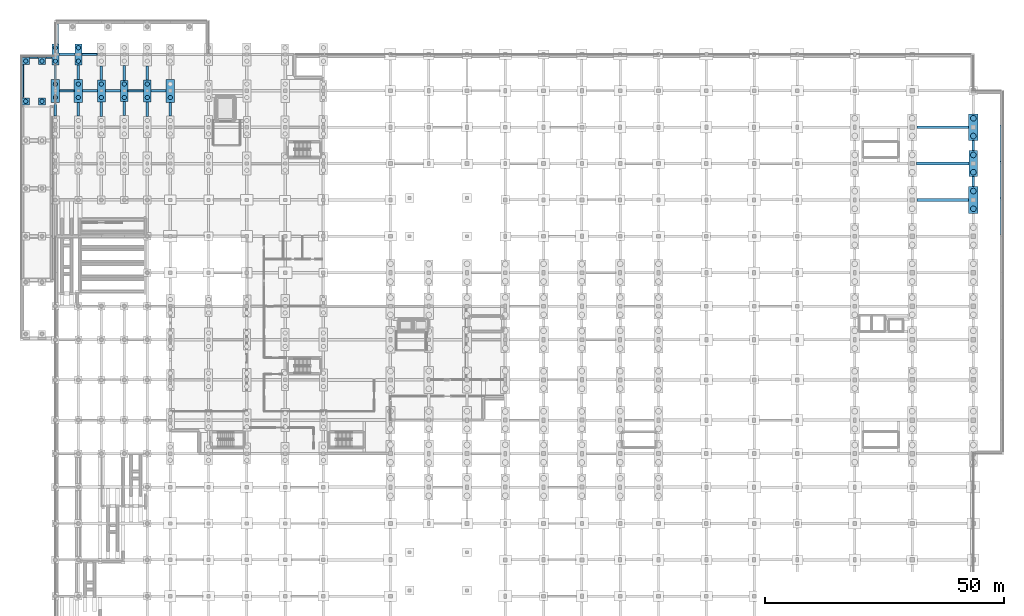
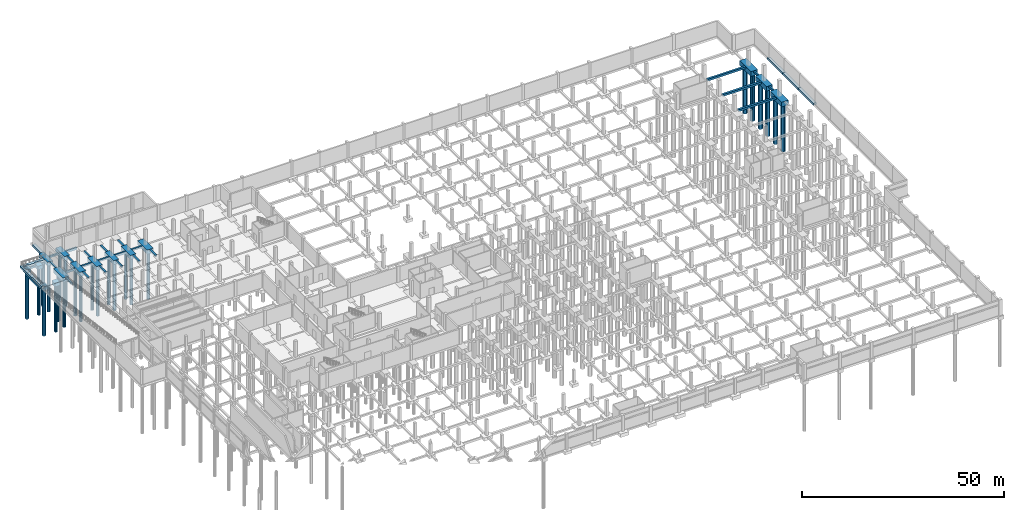
# One storey, part 24 of 50: 47 footings, 25 piles.
"""IFC4 building model written with IfcOpenShell, lengths in metres."""

from ifc_helpers import new_model, si_unit, direction, frame, origin, origin_2d, place, context, subcontext, project, spatial, polyline, rectangle, circle, outline, extrude, material, material_profile, profile_set, type_object, element, save


model = new_model("IFC4")

# Units and contexts
model_context = context("Model", 3, precision=1e-05, world=origin(), true_north=direction((0.0, 1.0)))
body_context = subcontext(model_context, "Body", "Model", "MODEL_VIEW")
ifc_project = project(units=[si_unit("LENGTHUNIT", "METRE"), si_unit("AREAUNIT", "SQUARE_METRE"), si_unit("VOLUMEUNIT", "CUBIC_METRE"), si_unit("PLANEANGLEUNIT", "RADIAN"), si_unit("MASSUNIT", "GRAM", prefix="KILO")], contexts=[model_context])

# Site, building, storey
site_placement = place(None, origin())
site = spatial("IfcSite", under=ifc_project, at=site_placement, CompositionType="ELEMENT")
building_placement = place(site_placement, origin())
building = spatial("IfcBuilding", under=site, at=building_placement, Name="Vekula Escarpment Museum", CompositionType="ELEMENT")
storey_placement = place(building_placement, frame((0.0, 0.0, -4.800048828125)))
storey = spatial("IfcBuildingStorey", under=building, at=storey_placement, Name="B1", CompositionType="ELEMENT", Elevation=-4.800048828125)

# Footings
ifc_material_1 = material(Name="Concrete C35/45", Category="concrete")
footing_type_1 = type_object("IfcFootingType", Name="FB-STRIP-600", PredefinedType="STRIP_FOOTING", material=ifc_material_1)
footing_1_placement = place(storey_placement, frame((0.0, 0.0, -1.5)))
element("IfcFooting", 1, at=footing_1_placement, inside=storey, type_object=footing_type_1, Name="Vehicle Ramp Strip Footing RMP-DRV-W-1", PredefinedType="STRIP_FOOTING", context=body_context, shape_type="SweptSolid", body=[
    extrude(outline(polyline([(-7.27490234375, 126.989990234375), (-6.675048828125, 126.989990234375), (-6.675048828125, 133.81005859375), (-7.27490234375, 133.81005859375), (-7.27490234375, 126.989990234375)])), origin(), (0.0, 0.0, 1.0), 0.60009765625),
])
footing_2_placement = place(storey_placement, frame((0.0, 0.0, -1.5)))
element("IfcFooting", 2, at=footing_2_placement, inside=storey, type_object=footing_type_1, Name="Vehicle Ramp Strip Footing RMP-DRV-N-1", PredefinedType="STRIP_FOOTING", context=body_context, shape_type="SweptSolid", body=[
    extrude(outline(polyline([(-5.409912109375, 135.27490234375), (-3.590087890625, 135.27490234375), (-3.590087890625, 135.875), (-5.409912109375, 135.875), (-5.409912109375, 135.27490234375)])), origin(), (0.0, 0.0, 1.0), 0.60009765625),
])
footing_3_placement = place(storey_placement, frame((0.0, 0.0, -1.5)))
element("IfcFooting", 3, at=footing_3_placement, inside=storey, type_object=footing_type_1, Name="Vehicle Ramp Strip Footing RMP-DRV-N-2", PredefinedType="STRIP_FOOTING", context=body_context, shape_type="SweptSolid", body=[
    extrude(outline(polyline([(-2.010009765625, 135.27490234375), (-0.7900390625, 135.27490234375), (-0.7900390625, 135.875), (-2.010009765625, 135.875), (-2.010009765625, 135.27490234375)])), origin(), (0.0, 0.0, 1.0), 0.60009765625),
])
footing_4_placement = place(storey_placement, frame((0.0, 0.0, -0.599853515625)))
element("IfcFooting", 4, at=footing_4_placement, inside=storey, type_object=footing_type_1, Name="Plinth Wall Strip Footing 0098", PredefinedType="STRIP_FOOTING", context=body_context, shape_type="SweptSolid", body=[
    extrude(outline(polyline([(197.35498046875, 106.02001953125), (198.195068359375, 106.02001953125), (198.195068359375, 98.424072265625), (197.35498046875, 98.424072265625), (197.35498046875, 106.02001953125)])), origin(), (0.0, 0.0, 1.0), 0.599853515625),
])
footing_5_placement = place(storey_placement, frame((0.0, 0.0, -0.599853515625)))
element("IfcFooting", 5, at=footing_5_placement, inside=storey, type_object=footing_type_1, Name="Plinth Wall Strip Footing 0099", PredefinedType="STRIP_FOOTING", context=body_context, shape_type="SweptSolid", body=[
    extrude(outline(polyline([(197.35498046875, 113.6201171875), (198.195068359375, 113.6201171875), (198.195068359375, 106.02392578125), (197.35498046875, 106.02392578125), (197.35498046875, 113.6201171875)])), origin(), (0.0, 0.0, 1.0), 0.599853515625),
])
footing_6_placement = place(storey_placement, frame((0.0, 0.0, -0.599853515625)))
element("IfcFooting", 6, at=footing_6_placement, inside=storey, type_object=footing_type_1, Name="Plinth Wall Strip Footing 0100", PredefinedType="STRIP_FOOTING", context=body_context, shape_type="SweptSolid", body=[
    extrude(outline(polyline([(197.35498046875, 121.219970703125), (198.195068359375, 121.219970703125), (198.195068359375, 113.6240234375), (197.35498046875, 113.6240234375), (197.35498046875, 121.219970703125)])), origin(), (0.0, 0.0, 1.0), 0.599853515625),
])
footing_7_placement = place(storey_placement, frame((0.0, 0.0, -0.599853515625)))
element("IfcFooting", 7, at=footing_7_placement, inside=storey, type_object=footing_type_1, Name="Plinth Wall Strip Footing 0126", PredefinedType="STRIP_FOOTING", context=body_context, shape_type="SweptSolid", body=[
    extrude(outline(polyline([(0.64501953125, 138.2041015625), (-0.195068359375, 138.2041015625), (-0.195068359375, 142.35107421875), (0.64501953125, 142.35107421875), (0.64501953125, 138.2041015625)])), origin(), (0.0, 0.0, 1.0), 0.599853515625),
])
footing_8_placement = place(storey_placement, frame((0.0, 0.0, -0.599853515625)))
element("IfcFooting", 8, at=footing_8_placement, inside=storey, type_object=footing_type_1, Name="Plinth Wall Strip Footing 0211", PredefinedType="STRIP_FOOTING", context=body_context, shape_type="SweptSolid", body=[
    extrude(outline(polyline([(-6.554931640625, 125.444091796875), (-7.39501953125, 125.444091796875), (-7.39501953125, 135.9951171875), (-6.554931640625, 135.9951171875), (-6.554931640625, 135.35400390625), (-6.9541015625, 135.35400390625), (-6.9541015625, 133.845947265625), (-6.554931640625, 133.845947265625), (-6.554931640625, 126.9541015625), (-6.9541015625, 126.9541015625), (-6.9541015625, 125.446044921875), (-6.554931640625, 125.444091796875)])), origin(), (0.0, 0.0, 1.0), 0.599853515625),
])
footing_9_placement = place(storey_placement, frame((0.0, 0.0, -0.599853515625)))
element("IfcFooting", 9, at=footing_9_placement, inside=storey, type_object=footing_type_1, Name="Plinth Wall Strip Footing 0212", PredefinedType="STRIP_FOOTING", context=body_context, shape_type="SweptSolid", body=[
    extrude(outline(polyline([(-5.446044921875, 135.155029296875), (-5.446044921875, 135.35400390625), (-6.551025390625, 135.35400390625), (-6.551025390625, 135.9951171875), (-0.75390625, 135.9951171875), (-0.75390625, 135.155029296875), (-2.0458984375, 135.155029296875), (-2.0458984375, 135.35400390625), (-3.553955078125, 135.35400390625), (-3.553955078125, 135.155029296875), (-5.446044921875, 135.155029296875)])), origin(), (0.0, 0.0, 1.0), 0.599853515625),
])
ifc_material_2 = material(Name="Concrete C35/45", Category="concrete")
ifc_material_profile_1 = material_profile(ifc_material_2, rectangle(XDim=0.39990234375, YDim=0.699951171875, at=origin_2d()), Name="RC 400x700")
ifc_profile_set_1 = profile_set([ifc_material_profile_1], Name="Concrete C35/45")
footing_type_2 = type_object("IfcFootingType", Name="FB-TIE-400x700", PredefinedType="FOOTING_BEAM", material=ifc_profile_set_1)
footing_10_placement = place(storey_placement, frame((0.875, 128.39990234375, -0.349853515625), z_axis=(1.0, 0.0, 0.0), x_axis=(0.0, 1.0, 0.0)))
element("IfcFooting", 10, at=footing_10_placement, inside=storey, type_object=footing_type_2, Name="Foundation Tie Beam 357", PredefinedType="FOOTING_BEAM", context=body_context, shape_type="SweptSolid", body=[
    extrude(rectangle(XDim=0.39990234375, YDim=0.699951171875, at=origin_2d()), origin(), (0.0, 0.0, 1.0), 3.050048828125),
])
footing_11_placement = place(storey_placement, frame((15.14990234375, 128.39990234375, -0.349853515625), z_axis=(1.0, 0.0, 0.0), x_axis=(0.0, 1.0, 0.0)))
element("IfcFooting", 11, at=footing_11_placement, inside=storey, type_object=footing_type_2, Name="Foundation Tie Beam 360", PredefinedType="FOOTING_BEAM", context=body_context, shape_type="SweptSolid", body=[
    extrude(rectangle(XDim=0.39990234375, YDim=0.699951171875, at=origin_2d()), origin(), (0.0, 0.0, 1.0), 3.22509765625),
])
footing_12_placement = place(storey_placement, frame((5.550048828125, 136.0, -0.349853515625), z_axis=(1.0, 0.0, 0.0), x_axis=(0.0, 1.0, 0.0)))
element("IfcFooting", 12, at=footing_12_placement, inside=storey, type_object=footing_type_2, Name="Foundation Tie Beam 381", PredefinedType="FOOTING_BEAM", context=body_context, shape_type="SweptSolid", body=[
    extrude(rectangle(XDim=0.39990234375, YDim=0.699951171875, at=origin_2d()), origin(), (0.0, 0.0, 1.0), 3.175048828125),
])
ifc_material_3 = material(Name="Concrete C35/45", Category="concrete")
ifc_material_profile_2 = material_profile(ifc_material_3, rectangle(XDim=0.5, YDim=0.5, at=origin_2d()), Name="RC 500x500")
ifc_profile_set_2 = profile_set([ifc_material_profile_2], Name="Concrete C35/45")
footing_type_3 = type_object("IfcFootingType", Name="FB-TIE-500x500", PredefinedType="FOOTING_BEAM", material=ifc_profile_set_2)
footing_13_placement = place(storey_placement, frame((5.675048828125, 128.39990234375, -0.25), z_axis=(1.0, 0.0, 0.0), x_axis=(0.0, 1.0, 0.0)))
element("IfcFooting", 13, at=footing_13_placement, inside=storey, type_object=footing_type_3, Name="Foundation Tie Beam 358", PredefinedType="FOOTING_BEAM", context=body_context, shape_type="SweptSolid", body=[
    extrude(rectangle(XDim=0.5, YDim=0.5, at=origin_2d()), origin(), (0.0, 0.0, 1.0), 3.099853515625),
])
footing_14_placement = place(storey_placement, frame((10.425048828125, 128.39990234375, -0.25), z_axis=(1.0, 0.0, 0.0), x_axis=(0.0, 1.0, 0.0)))
element("IfcFooting", 14, at=footing_14_placement, inside=storey, type_object=footing_type_3, Name="Foundation Tie Beam 359", PredefinedType="FOOTING_BEAM", context=body_context, shape_type="SweptSolid", body=[
    extrude(rectangle(XDim=0.5, YDim=0.5, at=origin_2d()), origin(), (0.0, 0.0, 1.0), 3.224853515625),
])
footing_15_placement = place(storey_placement, frame((20.02490234375, 128.39990234375, -0.25), z_axis=(1.0, 0.0, 0.0), x_axis=(0.0, 1.0, 0.0)))
element("IfcFooting", 15, at=footing_15_placement, inside=storey, type_object=footing_type_3, Name="Foundation Tie Beam 361", PredefinedType="FOOTING_BEAM", context=body_context, shape_type="SweptSolid", body=[
    extrude(rectangle(XDim=0.5, YDim=0.5, at=origin_2d()), origin(), (0.0, 0.0, 1.0), 3.10009765625),
])
footing_16_placement = place(storey_placement, frame((0.75, 136.0, -0.25), z_axis=(1.0, 0.0, 0.0), x_axis=(0.0, 1.0, 0.0)))
element("IfcFooting", 16, at=footing_16_placement, inside=storey, type_object=footing_type_3, Name="Foundation Tie Beam 380", PredefinedType="FOOTING_BEAM", context=body_context, shape_type="SweptSolid", body=[
    extrude(rectangle(XDim=0.5, YDim=0.5, at=origin_2d()), origin(), (0.0, 0.0, 1.0), 3.300048828125),
])
footing_17_placement = place(storey_placement, frame((0.0, 123.10009765625, -0.25), z_axis=(0.0, 1.0, 0.0), x_axis=(-1.0, 0.0, 0.0)))
element("IfcFooting", 17, at=footing_17_placement, inside=storey, type_object=footing_type_3, Name="Foundation Tie Beam 412", PredefinedType="FOOTING_BEAM", context=body_context, shape_type="SweptSolid", body=[
    extrude(rectangle(XDim=0.5, YDim=0.5, at=origin_2d()), origin(), (0.0, 0.0, 1.0), 2.89990234375),
])
footing_18_placement = place(storey_placement, frame((0.0, 130.800048828125, -0.25), z_axis=(0.0, 1.0, 0.0), x_axis=(-1.0, 0.0, 0.0)))
element("IfcFooting", 18, at=footing_18_placement, inside=storey, type_object=footing_type_3, Name="Foundation Tie Beam 413", PredefinedType="FOOTING_BEAM", context=body_context, shape_type="SweptSolid", body=[
    extrude(rectangle(XDim=0.5, YDim=0.5, at=origin_2d()), origin(), (0.0, 0.0, 1.0), 3.0),
])
footing_19_placement = place(storey_placement, frame((4.800048828125, 123.10009765625, -0.25), z_axis=(0.0, 1.0, 0.0), x_axis=(-1.0, 0.0, 0.0)))
element("IfcFooting", 19, at=footing_19_placement, inside=storey, type_object=footing_type_3, Name="Foundation Tie Beam 424", PredefinedType="FOOTING_BEAM", context=body_context, shape_type="SweptSolid", body=[
    extrude(rectangle(XDim=0.5, YDim=0.5, at=origin_2d()), origin(), (0.0, 0.0, 1.0), 2.89990234375),
])
footing_20_placement = place(storey_placement, frame((4.800048828125, 130.800048828125, -0.25), z_axis=(0.0, 1.0, 0.0), x_axis=(-1.0, 0.0, 0.0)))
element("IfcFooting", 20, at=footing_20_placement, inside=storey, type_object=footing_type_3, Name="Foundation Tie Beam 425", PredefinedType="FOOTING_BEAM", context=body_context, shape_type="SweptSolid", body=[
    extrude(rectangle(XDim=0.5, YDim=0.5, at=origin_2d()), origin(), (0.0, 0.0, 1.0), 3.0),
])
footing_21_placement = place(storey_placement, frame((9.60009765625, 123.0, -0.25), z_axis=(0.0, 1.0, 0.0), x_axis=(-1.0, 0.0, 0.0)))
element("IfcFooting", 21, at=footing_21_placement, inside=storey, type_object=footing_type_3, Name="Foundation Tie Beam 432", PredefinedType="FOOTING_BEAM", context=body_context, shape_type="SweptSolid", body=[
    extrude(rectangle(XDim=0.5, YDim=0.5, at=origin_2d()), origin(), (0.0, 0.0, 1.0), 3.10009765625),
])
footing_22_placement = place(storey_placement, frame((9.60009765625, 130.699951171875, -0.25), z_axis=(0.0, 1.0, 0.0), x_axis=(-1.0, 0.0, 0.0)))
element("IfcFooting", 22, at=footing_22_placement, inside=storey, type_object=footing_type_3, Name="Foundation Tie Beam 433", PredefinedType="FOOTING_BEAM", context=body_context, shape_type="SweptSolid", body=[
    extrude(rectangle(XDim=0.5, YDim=0.5, at=origin_2d()), origin(), (0.0, 0.0, 1.0), 2.900146484375),
])
footing_23_placement = place(storey_placement, frame((14.39990234375, 123.199951171875, -0.25), z_axis=(0.0, 1.0, 0.0), x_axis=(-1.0, 0.0, 0.0)))
element("IfcFooting", 23, at=footing_23_placement, inside=storey, type_object=footing_type_3, Name="Foundation Tie Beam 440", PredefinedType="FOOTING_BEAM", context=body_context, shape_type="SweptSolid", body=[
    extrude(rectangle(XDim=0.5, YDim=0.5, at=origin_2d()), origin(), (0.0, 0.0, 1.0), 3.0),
])
footing_24_placement = place(storey_placement, frame((14.39990234375, 130.60009765625, -0.25), z_axis=(0.0, 1.0, 0.0), x_axis=(-1.0, 0.0, 0.0)))
element("IfcFooting", 24, at=footing_24_placement, inside=storey, type_object=footing_type_3, Name="Foundation Tie Beam 441", PredefinedType="FOOTING_BEAM", context=body_context, shape_type="SweptSolid", body=[
    extrude(rectangle(XDim=0.5, YDim=0.5, at=origin_2d()), origin(), (0.0, 0.0, 1.0), 3.099853515625),
])
footing_25_placement = place(storey_placement, frame((19.199951171875, 123.0, -0.25), z_axis=(0.0, 1.0, 0.0), x_axis=(-1.0, 0.0, 0.0)))
element("IfcFooting", 25, at=footing_25_placement, inside=storey, type_object=footing_type_3, Name="Foundation Tie Beam 458", PredefinedType="FOOTING_BEAM", context=body_context, shape_type="SweptSolid", body=[
    extrude(rectangle(XDim=0.5, YDim=0.5, at=origin_2d()), origin(), (0.0, 0.0, 1.0), 3.10009765625),
])
footing_26_placement = place(storey_placement, frame((19.199951171875, 130.699951171875, -0.25), z_axis=(0.0, 1.0, 0.0), x_axis=(-1.0, 0.0, 0.0)))
element("IfcFooting", 26, at=footing_26_placement, inside=storey, type_object=footing_type_3, Name="Foundation Tie Beam 459", PredefinedType="FOOTING_BEAM", context=body_context, shape_type="SweptSolid", body=[
    extrude(rectangle(XDim=0.5, YDim=0.5, at=origin_2d()), origin(), (0.0, 0.0, 1.0), 2.900146484375),
])
footing_27_placement = place(storey_placement, frame((24.0, 123.10009765625, -0.25), z_axis=(0.0, 1.0, 0.0), x_axis=(-1.0, 0.0, 0.0)))
element("IfcFooting", 27, at=footing_27_placement, inside=storey, type_object=footing_type_3, Name="Foundation Tie Beam 476", PredefinedType="FOOTING_BEAM", context=body_context, shape_type="SweptSolid", body=[
    extrude(rectangle(XDim=0.5, YDim=0.5, at=origin_2d()), origin(), (0.0, 0.0, 1.0), 2.89990234375),
])
for number, where, z_axis, x_axis, name in (
    (28, (191.800048828125, 108.39990234375, -0.25), (0.0, 1.0, 0.0), (-1.0, 0.0, 0.0), "Foundation Tie Beam 792"),
    (29, (191.800048828125, 115.89990234375, -0.25), (0.0, 1.0, 0.0), (-1.0, 0.0, 0.0), "Foundation Tie Beam 793"),
):
    element("IfcFooting", number, at=place(storey_placement, frame(where, z_axis=z_axis, x_axis=x_axis)), inside=storey, type_object=footing_type_3, Name=name, PredefinedType="FOOTING_BEAM", context=body_context, shape_type="SweptSolid", body=[
        extrude(rectangle(XDim=0.5, YDim=0.5, at=origin_2d()), origin(), (0.0, 0.0, 1.0), 2.10009765625),
    ])
ifc_material_4 = material(Name="Concrete C35/45", Category="concrete")
ifc_material_profile_3 = material_profile(ifc_material_4, rectangle(XDim=0.60009765625, YDim=0.60009765625, at=origin_2d()), Name="RC 600x600")
ifc_profile_set_3 = profile_set([ifc_material_profile_3], Name="Concrete C35/45")
footing_type_4 = type_object("IfcFootingType", Name="FB-TIE-600x600", PredefinedType="FOOTING_BEAM", material=ifc_profile_set_3)
footing_28_placement = place(storey_placement, frame((179.97509765625, 105.60009765625, -0.300048828125), z_axis=(1.0, 0.0, 0.0), x_axis=(0.0, 1.0, 0.0)))
element("IfcFooting", 30, at=footing_28_placement, inside=storey, type_object=footing_type_4, Name="Foundation Tie Beam 310", PredefinedType="FOOTING_BEAM", context=body_context, shape_type="SweptSolid", body=[
    extrude(rectangle(XDim=0.60009765625, YDim=0.60009765625, at=origin_2d()), origin(), (0.0, 0.0, 1.0), 10.849853515625),
])
footing_29_placement = place(storey_placement, frame((179.89990234375, 113.199951171875, -0.300048828125), z_axis=(1.0, 0.0, 0.0), x_axis=(0.0, 1.0, 0.0)))
element("IfcFooting", 31, at=footing_29_placement, inside=storey, type_object=footing_type_4, Name="Foundation Tie Beam 333", PredefinedType="FOOTING_BEAM", context=body_context, shape_type="SweptSolid", body=[
    extrude(rectangle(XDim=0.60009765625, YDim=0.60009765625, at=origin_2d()), origin(), (0.0, 0.0, 1.0), 11.0),
])
footing_30_placement = place(storey_placement, frame((179.97509765625, 120.800048828125, -0.300048828125), z_axis=(1.0, 0.0, 0.0), x_axis=(0.0, 1.0, 0.0)))
element("IfcFooting", 32, at=footing_30_placement, inside=storey, type_object=footing_type_4, Name="Foundation Tie Beam 356", PredefinedType="FOOTING_BEAM", context=body_context, shape_type="SweptSolid", body=[
    extrude(rectangle(XDim=0.60009765625, YDim=0.60009765625, at=origin_2d()), origin(), (0.0, 0.0, 1.0), 10.849853515625),
])
ifc_material_5 = material(Name="Concrete C35/45", Category="concrete")
footing_type_5 = type_object("IfcFootingType", Name="FC-PC1A", PredefinedType="PILE_CAP", material=ifc_material_5)
footing_31_placement = place(storey_placement, frame((0.0, 0.0, -1.39990234375)))
element("IfcFooting", 33, at=footing_31_placement, inside=storey, type_object=footing_type_5, Name="Vehicle Ramp Pile Cap 11", PredefinedType="PILE_CAP", context=body_context, shape_type="SweptSolid", body=[
    extrude(outline(polyline([(-6.949951171875, 125.449951171875), (-5.449951171875, 125.449951171875), (-5.449951171875, 126.949951171875), (-6.949951171875, 126.949951171875), (-6.949951171875, 125.449951171875)])), origin(), (0.0, 0.0, 1.0), 1.099853515625),
])
footing_32_placement = place(storey_placement, frame((0.0, 0.0, -1.39990234375)))
element("IfcFooting", 34, at=footing_32_placement, inside=storey, type_object=footing_type_5, Name="Vehicle Ramp Pile Cap 12", PredefinedType="PILE_CAP", context=body_context, shape_type="SweptSolid", body=[
    extrude(outline(polyline([(-3.550048828125, 125.449951171875), (-2.050048828125, 125.449951171875), (-2.050048828125, 126.949951171875), (-3.550048828125, 126.949951171875), (-3.550048828125, 125.449951171875)])), origin(), (0.0, 0.0, 1.0), 1.099853515625),
])
footing_33_placement = place(storey_placement, frame((0.0, 0.0, -1.39990234375)))
element("IfcFooting", 35, at=footing_33_placement, inside=storey, type_object=footing_type_5, Name="Vehicle Ramp Pile Cap 13", PredefinedType="PILE_CAP", context=body_context, shape_type="SweptSolid", body=[
    extrude(outline(polyline([(-6.949951171875, 133.85009765625), (-5.449951171875, 133.85009765625), (-5.449951171875, 135.35009765625), (-6.949951171875, 135.35009765625), (-6.949951171875, 133.85009765625)])), origin(), (0.0, 0.0, 1.0), 1.099853515625),
])
footing_34_placement = place(storey_placement, frame((0.0, 0.0, -1.39990234375)))
element("IfcFooting", 36, at=footing_34_placement, inside=storey, type_object=footing_type_5, Name="Vehicle Ramp Pile Cap 14", PredefinedType="PILE_CAP", context=body_context, shape_type="SweptSolid", body=[
    extrude(outline(polyline([(-3.550048828125, 133.85009765625), (-2.050048828125, 133.85009765625), (-2.050048828125, 135.35009765625), (-3.550048828125, 135.35009765625), (-3.550048828125, 133.85009765625)])), origin(), (0.0, 0.0, 1.0), 1.099853515625),
])
ifc_material_6 = material(Name="Concrete C35/45", Category="concrete")
footing_type_6 = type_object("IfcFootingType", Name="FC-PC2Y-A", PredefinedType="PILE_CAP", material=ifc_material_6)
footing_35_placement = place(storey_placement, frame((0.0, 0.0, -1.199951171875)))
element("IfcFooting", 37, at=footing_35_placement, inside=storey, type_object=footing_type_6, Name="Foundation FC-PC2Y-A (0.0,136.0)", PredefinedType="PILE_CAP", context=body_context, shape_type="SweptSolid", body=[
    extrude(outline(polyline([(-0.75, 133.800048828125), (0.75, 133.800048828125), (0.75, 138.199951171875), (-0.75, 138.199951171875), (-0.75, 133.800048828125)])), origin(), (0.0, 0.0, 1.0), 1.199951171875),
])
footing_36_placement = place(storey_placement, frame((0.0, 0.0, -1.199951171875)))
element("IfcFooting", 38, at=footing_36_placement, inside=storey, type_object=footing_type_6, Name="Foundation FC-PC2Y-A (4.8,136.0)", PredefinedType="PILE_CAP", context=body_context, shape_type="SweptSolid", body=[
    extrude(outline(polyline([(4.050048828125, 133.800048828125), (5.550048828125, 133.800048828125), (5.550048828125, 138.199951171875), (4.050048828125, 138.199951171875), (4.050048828125, 133.800048828125)])), origin(), (0.0, 0.0, 1.0), 1.199951171875),
])
footing_37_placement = place(storey_placement, frame((0.0, 0.0, -1.199951171875)))
element("IfcFooting", 39, at=footing_37_placement, inside=storey, type_object=footing_type_6, Name="Foundation FC-PC2Y-A (14.4,128.4)", PredefinedType="PILE_CAP", context=body_context, shape_type="SweptSolid", body=[
    extrude(outline(polyline([(13.64990234375, 126.199951171875), (15.14990234375, 126.199951171875), (15.14990234375, 130.60009765625), (13.64990234375, 130.60009765625), (13.64990234375, 126.199951171875)])), origin(), (0.0, 0.0, 1.0), 1.199951171875),
])
ifc_material_7 = material(Name="Concrete C35/45", Category="concrete")
footing_type_7 = type_object("IfcFootingType", Name="FC-PC2Y-B", PredefinedType="PILE_CAP", material=ifc_material_7)
footing_38_placement = place(storey_placement, frame((0.0, 0.0, -1.25)))
element("IfcFooting", 40, at=footing_38_placement, inside=storey, type_object=footing_type_7, Name="Foundation FC-PC2Y-B (9.6,128.4)", PredefinedType="PILE_CAP", context=body_context, shape_type="SweptSolid", body=[
    extrude(outline(polyline([(8.77490234375, 126.10009765625), (10.425048828125, 126.10009765625), (10.425048828125, 130.699951171875), (8.77490234375, 130.699951171875), (8.77490234375, 126.10009765625)])), origin(), (0.0, 0.0, 1.0), 1.25),
])
footing_39_placement = place(storey_placement, frame((0.0, 0.0, -1.25)))
element("IfcFooting", 41, at=footing_39_placement, inside=storey, type_object=footing_type_7, Name="Foundation FC-PC2Y-B (19.2,128.4)", PredefinedType="PILE_CAP", context=body_context, shape_type="SweptSolid", body=[
    extrude(outline(polyline([(18.375, 126.10009765625), (20.02490234375, 126.10009765625), (20.02490234375, 130.699951171875), (18.375, 130.699951171875), (18.375, 126.10009765625)])), origin(), (0.0, 0.0, 1.0), 1.25),
])
ifc_material_8 = material(Name="Concrete C35/45", Category="concrete")
footing_type_8 = type_object("IfcFootingType", Name="FC-PC2Y-C", PredefinedType="PILE_CAP", material=ifc_material_8)
footing_40_placement = place(storey_placement, frame((0.0, 0.0, -1.300048828125)))
element("IfcFooting", 42, at=footing_40_placement, inside=storey, type_object=footing_type_8, Name="Foundation FC-PC2Y-C (0.0,128.4)", PredefinedType="PILE_CAP", context=body_context, shape_type="SweptSolid", body=[
    extrude(outline(polyline([(-0.875, 126.0), (0.875, 126.0), (0.875, 130.800048828125), (-0.875, 130.800048828125), (-0.875, 126.0)])), origin(), (0.0, 0.0, 1.0), 1.300048828125),
])
footing_41_placement = place(storey_placement, frame((0.0, 0.0, -1.300048828125)))
element("IfcFooting", 43, at=footing_41_placement, inside=storey, type_object=footing_type_8, Name="Foundation FC-PC2Y-C (4.8,128.4)", PredefinedType="PILE_CAP", context=body_context, shape_type="SweptSolid", body=[
    extrude(outline(polyline([(3.925048828125, 126.0), (5.675048828125, 126.0), (5.675048828125, 130.800048828125), (3.925048828125, 130.800048828125), (3.925048828125, 126.0)])), origin(), (0.0, 0.0, 1.0), 1.300048828125),
])
footing_42_placement = place(storey_placement, frame((0.0, 0.0, -1.300048828125)))
element("IfcFooting", 44, at=footing_42_placement, inside=storey, type_object=footing_type_8, Name="Foundation FC-PC2Y-C (24.0,128.4)", PredefinedType="PILE_CAP", context=body_context, shape_type="SweptSolid", body=[
    extrude(outline(polyline([(23.125, 126.0), (24.875, 126.0), (24.875, 130.800048828125), (23.125, 130.800048828125), (23.125, 126.0)])), origin(), (0.0, 0.0, 1.0), 1.300048828125),
])
ifc_material_9 = material(Name="Concrete C35/45", Category="concrete")
footing_type_9 = type_object("IfcFootingType", Name="FC-PC2Y-HA", PredefinedType="PILE_CAP", material=ifc_material_9)
footing_43_placement = place(storey_placement, frame((0.0, 0.0, -1.39990234375)))
element("IfcFooting", 45, at=footing_43_placement, inside=storey, type_object=footing_type_9, Name="Foundation FC-PC2Y-HA (191.8,113.2)", PredefinedType="PILE_CAP", context=body_context, shape_type="SweptSolid", body=[
    extrude(outline(polyline([(190.89990234375, 110.5), (192.699951171875, 110.5), (192.699951171875, 115.89990234375), (190.89990234375, 115.89990234375), (190.89990234375, 110.5)])), origin(), (0.0, 0.0, 1.0), 1.39990234375),
])
ifc_material_10 = material(Name="Concrete C35/45", Category="concrete")
footing_type_10 = type_object("IfcFootingType", Name="FC-PC2Y-HB", PredefinedType="PILE_CAP", material=ifc_material_10)
footing_44_placement = place(storey_placement, frame((0.0, 0.0, -1.449951171875)))
element("IfcFooting", 46, at=footing_44_placement, inside=storey, type_object=footing_type_10, Name="Foundation FC-PC2Y-HB (191.8,105.6)", PredefinedType="PILE_CAP", context=body_context, shape_type="SweptSolid", body=[
    extrude(outline(polyline([(190.824951171875, 102.800048828125), (192.77490234375, 102.800048828125), (192.77490234375, 108.39990234375), (190.824951171875, 108.39990234375), (190.824951171875, 102.800048828125)])), origin(), (0.0, 0.0, 1.0), 1.449951171875),
])
footing_45_placement = place(storey_placement, frame((0.0, 0.0, -1.449951171875)))
element("IfcFooting", 47, at=footing_45_placement, inside=storey, type_object=footing_type_10, Name="Foundation FC-PC2Y-HB (191.8,120.8)", PredefinedType="PILE_CAP", context=body_context, shape_type="SweptSolid", body=[
    extrude(outline(polyline([(190.824951171875, 118.0), (192.77490234375, 118.0), (192.77490234375, 123.60009765625), (190.824951171875, 123.60009765625), (190.824951171875, 118.0)])), origin(), (0.0, 0.0, 1.0), 1.449951171875),
])

# Piles
ifc_material_11 = material(Name="Concrete C35/45", Category="concrete")
ifc_material_profile_4 = material_profile(ifc_material_11, circle(Radius=0.60009765625, at=origin_2d()), Name="BORED PILE 1200")
ifc_profile_set_4 = profile_set([ifc_material_profile_4], Name="Concrete C35/45")
pile_type_1 = type_object("IfcPileType", Name="PILE-B1200", PredefinedType="BORED", material=ifc_profile_set_4)
for number, where, z_axis, x_axis, name in (
    (48, (191.800048828125, 103.75, -1.349853515625), (0.0, 0.0, -1.0), (1.0, 0.0, 0.0), "Bored Pile (191.8,103.8)"),
    (49, (191.800048828125, 107.449951171875, -1.349853515625), (0.0, 0.0, -1.0), (1.0, 0.0, 0.0), "Bored Pile (191.8,107.4)"),
):
    element("IfcPile", number, at=place(storey_placement, frame(where, z_axis=z_axis, x_axis=x_axis)), inside=storey, type_object=pile_type_1, Name=name, PredefinedType="BORED", context=body_context, shape_type="SweptSolid", body=[
        extrude(circle(Radius=0.60009765625, at=origin_2d()), origin(), (0.0, 0.0, 1.0), 14.14990234375),
    ])
for number, where, z_axis, x_axis, name in (
    (50, (191.800048828125, 111.39990234375, -1.300048828125), (0.0, 0.0, -1.0), (1.0, 0.0, 0.0), "Bored Pile (191.8,111.4)"),
    (51, (191.800048828125, 115.0, -1.300048828125), (0.0, 0.0, -1.0), (1.0, 0.0, 0.0), "Bored Pile (191.8,115.0)"),
):
    element("IfcPile", number, at=place(storey_placement, frame(where, z_axis=z_axis, x_axis=x_axis)), inside=storey, type_object=pile_type_1, Name=name, PredefinedType="BORED", context=body_context, shape_type="SweptSolid", body=[
        extrude(circle(Radius=0.60009765625, at=origin_2d()), origin(), (0.0, 0.0, 1.0), 14.199951171875),
    ])
for number, where, z_axis, x_axis, name in (
    (52, (191.800048828125, 118.949951171875, -1.349853515625), (0.0, 0.0, -1.0), (1.0, 0.0, 0.0), "Bored Pile (191.8,119.0)"),
    (53, (191.800048828125, 122.64990234375, -1.349853515625), (0.0, 0.0, -1.0), (1.0, 0.0, 0.0), "Bored Pile (191.8,122.6)"),
):
    element("IfcPile", number, at=place(storey_placement, frame(where, z_axis=z_axis, x_axis=x_axis)), inside=storey, type_object=pile_type_1, Name=name, PredefinedType="BORED", context=body_context, shape_type="SweptSolid", body=[
        extrude(circle(Radius=0.60009765625, at=origin_2d()), origin(), (0.0, 0.0, 1.0), 14.14990234375),
    ])
ifc_material_12 = material(Name="Concrete C35/45", Category="concrete")
ifc_material_profile_5 = material_profile(ifc_material_12, circle(Radius=0.449951171875, at=origin_2d()), Name="BORED PILE 900")
ifc_profile_set_5 = profile_set([ifc_material_profile_5], Name="Concrete C35/45")
pile_type_2 = type_object("IfcPileType", Name="PILE-B900", PredefinedType="BORED", material=ifc_profile_set_5)
for number, where, z_axis, x_axis, name in (
    (54, (0.0, 127.0, -1.199951171875), (0.0, 0.0, -1.0), (1.0, 0.0, 0.0), "Bored Pile (0.0,127.0)"),
    (55, (0.0, 129.800048828125, -1.199951171875), (0.0, 0.0, -1.0), (1.0, 0.0, 0.0), "Bored Pile (0.0,129.8)"),
):
    element("IfcPile", number, at=place(storey_placement, frame(where, z_axis=z_axis, x_axis=x_axis)), inside=storey, type_object=pile_type_2, Name=name, PredefinedType="BORED", context=body_context, shape_type="SweptSolid", body=[
        extrude(circle(Radius=0.449951171875, at=origin_2d()), origin(), (0.0, 0.0, 1.0), 14.300048828125),
    ])
for number, where, z_axis, x_axis, name in (
    (56, (0.0, 134.60009765625, -1.099853515625), (0.0, 0.0, -1.0), (1.0, 0.0, 0.0), "Bored Pile (0.0,134.6)"),
    (57, (0.0, 137.39990234375, -1.099853515625), (0.0, 0.0, -1.0), (1.0, 0.0, 0.0), "Bored Pile (0.0,137.4)"),
):
    element("IfcPile", number, at=place(storey_placement, frame(where, z_axis=z_axis, x_axis=x_axis)), inside=storey, type_object=pile_type_2, Name=name, PredefinedType="BORED", context=body_context, shape_type="SweptSolid", body=[
        extrude(circle(Radius=0.449951171875, at=origin_2d()), origin(), (0.0, 0.0, 1.0), 14.39990234375),
    ])
for number, where, z_axis, x_axis, name in (
    (58, (4.800048828125, 127.0, -1.199951171875), (0.0, 0.0, -1.0), (1.0, 0.0, 0.0), "Bored Pile (4.8,127.0)"),
    (59, (4.800048828125, 129.800048828125, -1.199951171875), (0.0, 0.0, -1.0), (1.0, 0.0, 0.0), "Bored Pile (4.8,129.8)"),
):
    element("IfcPile", number, at=place(storey_placement, frame(where, z_axis=z_axis, x_axis=x_axis)), inside=storey, type_object=pile_type_2, Name=name, PredefinedType="BORED", context=body_context, shape_type="SweptSolid", body=[
        extrude(circle(Radius=0.449951171875, at=origin_2d()), origin(), (0.0, 0.0, 1.0), 14.300048828125),
    ])
for number, where, z_axis, x_axis, name in (
    (60, (4.800048828125, 134.60009765625, -1.099853515625), (0.0, 0.0, -1.0), (1.0, 0.0, 0.0), "Bored Pile (4.8,134.6)"),
    (61, (4.800048828125, 137.39990234375, -1.099853515625), (0.0, 0.0, -1.0), (1.0, 0.0, 0.0), "Bored Pile (4.8,137.4)"),
):
    element("IfcPile", number, at=place(storey_placement, frame(where, z_axis=z_axis, x_axis=x_axis)), inside=storey, type_object=pile_type_2, Name=name, PredefinedType="BORED", context=body_context, shape_type="SweptSolid", body=[
        extrude(circle(Radius=0.449951171875, at=origin_2d()), origin(), (0.0, 0.0, 1.0), 14.39990234375),
    ])
for number, where, z_axis, x_axis, name in (
    (62, (9.60009765625, 127.0, -1.14990234375), (0.0, 0.0, -1.0), (1.0, 0.0, 0.0), "Bored Pile (9.6,127.0)"),
    (63, (9.60009765625, 129.800048828125, -1.14990234375), (0.0, 0.0, -1.0), (1.0, 0.0, 0.0), "Bored Pile (9.6,129.8)"),
):
    element("IfcPile", number, at=place(storey_placement, frame(where, z_axis=z_axis, x_axis=x_axis)), inside=storey, type_object=pile_type_2, Name=name, PredefinedType="BORED", context=body_context, shape_type="SweptSolid", body=[
        extrude(circle(Radius=0.449951171875, at=origin_2d()), origin(), (0.0, 0.0, 1.0), 14.35009765625),
    ])
for number, where, z_axis, x_axis, name in (
    (64, (14.39990234375, 127.0, -1.099853515625), (0.0, 0.0, -1.0), (1.0, 0.0, 0.0), "Bored Pile (14.4,127.0)"),
    (65, (14.39990234375, 129.800048828125, -1.099853515625), (0.0, 0.0, -1.0), (1.0, 0.0, 0.0), "Bored Pile (14.4,129.8)"),
):
    element("IfcPile", number, at=place(storey_placement, frame(where, z_axis=z_axis, x_axis=x_axis)), inside=storey, type_object=pile_type_2, Name=name, PredefinedType="BORED", context=body_context, shape_type="SweptSolid", body=[
        extrude(circle(Radius=0.449951171875, at=origin_2d()), origin(), (0.0, 0.0, 1.0), 14.39990234375),
    ])
for number, where, z_axis, x_axis, name in (
    (66, (19.199951171875, 127.0, -1.14990234375), (0.0, 0.0, -1.0), (1.0, 0.0, 0.0), "Bored Pile (19.2,127.0)"),
    (67, (19.199951171875, 129.800048828125, -1.14990234375), (0.0, 0.0, -1.0), (1.0, 0.0, 0.0), "Bored Pile (19.2,129.8)"),
):
    element("IfcPile", number, at=place(storey_placement, frame(where, z_axis=z_axis, x_axis=x_axis)), inside=storey, type_object=pile_type_2, Name=name, PredefinedType="BORED", context=body_context, shape_type="SweptSolid", body=[
        extrude(circle(Radius=0.449951171875, at=origin_2d()), origin(), (0.0, 0.0, 1.0), 14.35009765625),
    ])
pile_placement = place(storey_placement, frame((24.0, 127.0, -1.199951171875), z_axis=(0.0, 0.0, -1.0), x_axis=(1.0, 0.0, 0.0)))
element("IfcPile", 68, at=pile_placement, inside=storey, type_object=pile_type_2, Name="Bored Pile (24.0,127.0)", PredefinedType="BORED", context=body_context, shape_type="SweptSolid", body=[
    extrude(circle(Radius=0.449951171875, at=origin_2d()), origin(), (0.0, 0.0, 1.0), 14.300048828125),
])
for number, where, z_axis, x_axis, name in (
    (69, (-6.199951171875, 126.199951171875, -1.300048828125), (0.0, 0.0, -1.0), (1.0, 0.0, 0.0), "Vehicle Ramp Bored Pile 11"),
    (70, (-2.800048828125, 126.199951171875, -1.300048828125), (0.0, 0.0, -1.0), (1.0, 0.0, 0.0), "Vehicle Ramp Bored Pile 12"),
    (71, (-6.199951171875, 134.60009765625, -1.300048828125), (0.0, 0.0, -1.0), (1.0, 0.0, 0.0), "Vehicle Ramp Bored Pile 13"),
    (72, (-2.800048828125, 134.60009765625, -1.300048828125), (0.0, 0.0, -1.0), (1.0, 0.0, 0.0), "Vehicle Ramp Bored Pile 14"),
):
    element("IfcPile", number, at=place(storey_placement, frame(where, z_axis=z_axis, x_axis=x_axis)), inside=storey, type_object=pile_type_2, Name=name, PredefinedType="BORED", context=body_context, shape_type="SweptSolid", body=[
        extrude(circle(Radius=0.449951171875, at=origin_2d()), origin(), (0.0, 0.0, 1.0), 14.199951171875),
    ])

save(model, "model.ifc")
